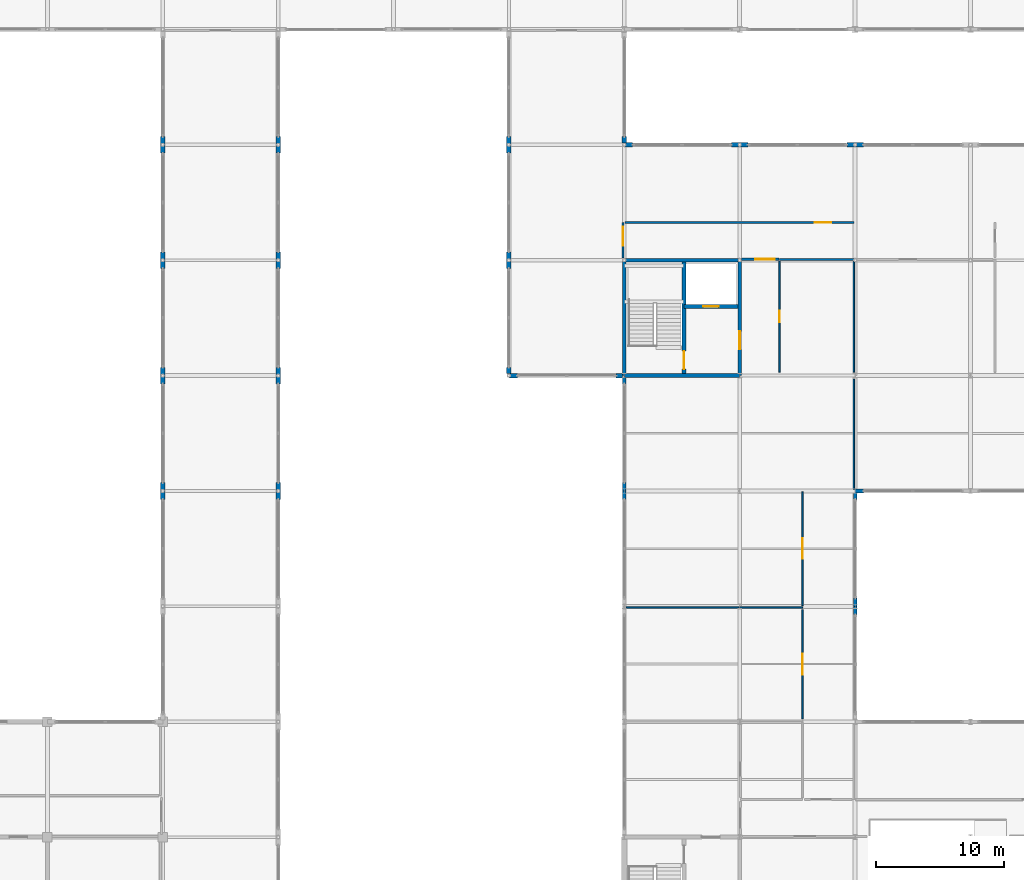
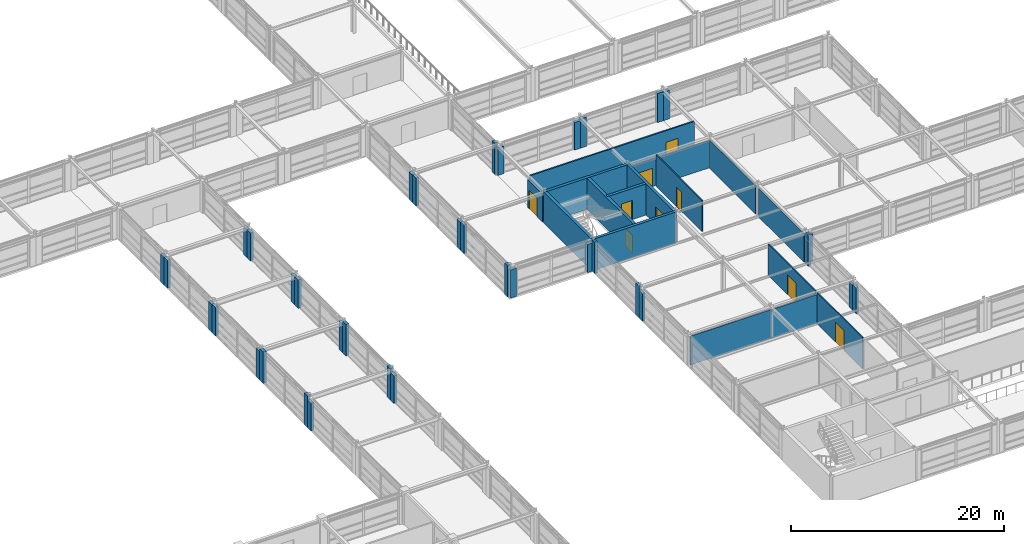
# One storey, part 66 of 79: 53 walls, 9 doors, 9 openings.
"""IFC4 building model written with IfcOpenShell, lengths in metres."""

from ifc_helpers import new_model, si_unit, direction, frame, frame_2d, origin, place, context, subcontext, project, spatial, rectangle, extrude, material, layer, layer_set, type_object, element, fill, save


model = new_model("IFC4")

# Units and contexts
model_context = context("Model", 3, precision=1e-05, world=origin(), true_north=direction((0.0, 1.0)))
body_context = subcontext(model_context, "Body", "Model", "MODEL_VIEW")
ifc_project = project(units=[si_unit("LENGTHUNIT", "METRE"), si_unit("AREAUNIT", "SQUARE_METRE"), si_unit("VOLUMEUNIT", "CUBIC_METRE"), si_unit("PLANEANGLEUNIT", "RADIAN"), si_unit("MASSUNIT", "GRAM", prefix="KILO")], contexts=[model_context])

# Site, building, storey
site_placement = place(None, origin())
site = spatial("IfcSite", under=ifc_project, at=site_placement, CompositionType="ELEMENT")
building_placement = place(site_placement, origin())
building = spatial("IfcBuilding", under=site, at=building_placement, Name="Palais des Congres Ocreval", CompositionType="ELEMENT")
storey_placement = place(building_placement, frame((0.0, 0.0, 4.320068359375)))
storey = spatial("IfcBuildingStorey", under=building, at=storey_placement, Name="L01", CompositionType="ELEMENT", Elevation=4.320068359375)

# Wall
ifc_material_1 = material(Name="Concrete C40/50", Category="concrete")
ifc_layer_1 = layer(ifc_material_1, 0.300048828125)
ifc_layer_set_1 = layer_set([ifc_layer_1], Name="Core Shear Wall 300 Concrete C40/50")
wall_type_1 = type_object("IfcWallType", Name="Core Shear Wall 300 Concrete C40/50", PredefinedType="SHEAR", material=ifc_layer_set_1)
wall_1_placement = place(storey_placement, frame((108.0, 45.0, 0.0), z_axis=(0.0, 0.0, 1.0), x_axis=(1.0, 0.0, 0.0)))
element("IfcWall", 1, at=wall_1_placement, inside=storey, type_object=wall_type_1, Name="Core Shear Wall SC10 L01 S", PredefinedType="SHEAR", context=body_context, shape_type="SweptSolid", body=[
    extrude(rectangle(XDim=9.0, YDim=0.300048828125, at=frame_2d((4.5, 0.0))), origin(), (0.0, 0.0, 1.0), 3.58984375),
])

# Wall, opening, door
wall_2_placement = place(storey_placement, frame((117.0, 45.0, 0.0), z_axis=(0.0, 0.0, 1.0), x_axis=(0.0, 1.0, 0.0)))
wall_2 = element("IfcWall", 2, at=wall_2_placement, inside=storey, type_object=wall_type_1, Name="Core Shear Wall SC10 L01 E", PredefinedType="SHEAR", context=body_context, shape_type="SweptSolid", body=[
    extrude(rectangle(XDim=9.0, YDim=0.300048828125, at=frame_2d((4.5, 0.0))), origin(), (0.0, 0.0, 1.0), 3.58984375),
])
opening_1_placement = place(wall_2_placement, frame((2.050048828125, 0.0, 0.0)))
opening_1 = element("IfcOpeningElement", 3, at=opening_1_placement, cuts=wall_2, Name="Opening D03", PredefinedType="OPENING", context=body_context, shape_type="SweptSolid", body=[
    extrude(rectangle(XDim=1.39990234375, YDim=2.02001953125, at=frame_2d((0.699951171875, 1.010009765625))), frame((0.0, 0.159912109375, 0.0), z_axis=(0.0, -1.0, 0.0), x_axis=(1.0, 0.0, 0.0)), (0.0, 0.0, 1.0), 0.320068359375),
])
ifc_material_2 = material(Name="Painted fire-rated steel", Category="steel")
door_type_1 = type_object("IfcDoorType", Name="Core Lobby Rated Door 1400x2020", OperationType="NOTDEFINED", PredefinedType="DOOR", material=ifc_material_2)
door_1_placement = place(opening_1_placement, origin())
door_1 = element("IfcDoor", 4, at=door_1_placement, inside=storey, type_object=door_type_1, Name="Lobby Entrance Door SC10 L01", OperationType="DOUBLE_DOOR_SINGLE_SWING", OverallHeight=2.02001953125, OverallWidth=1.39990234375, PredefinedType="DOOR", context=body_context, shape_type="SweptSolid", body=[
    extrude(rectangle(XDim=1.39990234375, YDim=2.02001953125, at=frame_2d((0.699951171875, 1.010009765625))), frame((0.0, 0.02490234375, 0.0), z_axis=(0.0, -1.0, 0.0), x_axis=(1.0, 0.0, 0.0)), (0.0, 0.0, 1.0), 0.050048828125),
])
fill(opening_1, door_1)

# Walls
for number, where, z_axis, x_axis, name in (
    (5, (108.0, 54.0, 0.0), (0.0, 0.0, 1.0), (1.0, 0.0, 0.0), "Core Shear Wall SC10 L01 N"),
    (6, (108.0, 45.0, 0.0), (0.0, 0.0, 1.0), (0.0, 1.0, 0.0), "Core Shear Wall SC10 L01 W"),
):
    element("IfcWall", number, at=place(storey_placement, frame(where, z_axis=z_axis, x_axis=x_axis)), inside=storey, type_object=wall_type_1, Name=name, PredefinedType="SHEAR", context=body_context, shape_type="SweptSolid", body=[
        extrude(rectangle(XDim=9.0, YDim=0.300048828125, at=frame_2d((4.5, 0.0))), origin(), (0.0, 0.0, 1.0), 3.58984375),
    ])

# Wall, opening, door
wall_3_placement = place(storey_placement, frame((112.64990234375, 45.14990234375, 0.0), z_axis=(0.0, 0.0, 1.0), x_axis=(0.0, 1.0, 0.0)))
wall_3 = element("IfcWall", 7, at=wall_3_placement, inside=storey, type_object=wall_type_1, Name="Core Spine Shear Wall SC10 L01", PredefinedType="SHEAR", context=body_context, shape_type="SweptSolid", body=[
    extrude(rectangle(XDim=8.7001953125, YDim=0.300048828125, at=frame_2d((4.35009765625, 0.0))), origin(), (0.0, 0.0, 1.0), 3.58984375),
])
opening_2_placement = place(wall_3_placement, frame((0.35009765625, 0.0, 0.0)))
opening_2 = element("IfcOpeningElement", 8, at=opening_2_placement, cuts=wall_3, Name="Opening D03", PredefinedType="OPENING", context=body_context, shape_type="SweptSolid", body=[
    extrude(rectangle(XDim=1.39990234375, YDim=2.02001953125, at=frame_2d((0.699951171875, 1.010009765625))), frame((0.0, 0.159912109375, 0.0), z_axis=(0.0, -1.0, 0.0), x_axis=(1.0, 0.0, 0.0)), (0.0, 0.0, 1.0), 0.320068359375),
])
door_2_placement = place(opening_2_placement, origin())
door_2 = element("IfcDoor", 9, at=door_2_placement, inside=storey, type_object=door_type_1, Name="Protected Exit Stair Door ST10 L01", OperationType="SINGLE_SWING_RIGHT", OverallHeight=2.02001953125, OverallWidth=1.39990234375, PredefinedType="DOOR", context=body_context, shape_type="SweptSolid", body=[
    extrude(rectangle(XDim=1.39990234375, YDim=2.02001953125, at=frame_2d((0.699951171875, 1.010009765625))), frame((0.0, 0.02490234375, 0.0), z_axis=(0.0, -1.0, 0.0), x_axis=(1.0, 0.0, 0.0)), (0.0, 0.0, 1.0), 0.050048828125),
])
fill(opening_2, door_2)

wall_4_placement = place(storey_placement, frame((112.64990234375, 50.39990234375, 0.0), z_axis=(0.0, 0.0, 1.0), x_axis=(1.0, 0.0, 0.0)))
wall_4 = element("IfcWall", 10, at=wall_4_placement, inside=storey, type_object=wall_type_1, Name="Lift Shaft Front Wall SC10 L01", PredefinedType="SHEAR", context=body_context, shape_type="SweptSolid", body=[
    extrude(rectangle(XDim=4.2001953125, YDim=0.300048828125, at=frame_2d((2.10009765625, 0.0))), origin(), (0.0, 0.0, 1.0), 3.58984375),
])
opening_3_placement = place(wall_4_placement, frame((1.5, 0.0, 0.0)))
opening_3 = element("IfcOpeningElement", 11, at=opening_3_placement, cuts=wall_4, Name="Opening LD02", PredefinedType="OPENING", context=body_context, shape_type="SweptSolid", body=[
    extrude(rectangle(XDim=1.199951171875, YDim=2.199951171875, at=frame_2d((0.60009765625, 1.10009765625))), frame((0.0, 0.159912109375, 0.0), z_axis=(0.0, -1.0, 0.0), x_axis=(1.0, 0.0, 0.0)), (0.0, 0.0, 1.0), 0.320068359375),
])
ifc_material_3 = material(Name="Anodized bronze steel", Category="steel")
door_type_2 = type_object("IfcDoorType", Name="Passenger and Service Lift Sliding Door 1200x2200", OperationType="NOTDEFINED", PredefinedType="DOOR", material=ifc_material_3)
door_3_placement = place(opening_3_placement, origin())
door_3 = element("IfcDoor", 12, at=door_3_placement, inside=storey, type_object=door_type_2, Name="Lift Landing Sliding Door SL1 L01", OperationType="DOUBLE_DOOR_SLIDING", OverallHeight=2.199951171875, OverallWidth=1.199951171875, PredefinedType="DOOR", context=body_context, shape_type="SweptSolid", body=[
    extrude(rectangle(XDim=1.199951171875, YDim=2.199951171875, at=frame_2d((0.60009765625, 1.10009765625))), frame((0.0, 0.02490234375, 0.0), z_axis=(0.0, -1.0, 0.0), x_axis=(1.0, 0.0, 0.0)), (0.0, 0.0, 1.0), 0.050048828125),
])
fill(opening_3, door_3)

# Wall
ifc_material_4 = material(Name="Gypsum acoustic partition")
ifc_layer_2 = layer(ifc_material_4, 0.159912109375)
ifc_layer_set_2 = layer_set([ifc_layer_2], Name="Corridor Fire Partition 160 Gypsum (Gypsum acoustic partition)")
wall_type_2 = type_object("IfcWallType", Name="Corridor Fire Partition 160 Gypsum", PredefinedType="PARTITIONING", material=ifc_layer_set_2)
wall_5_placement = place(storey_placement, frame((120.10009765625, 54.06494140625, 0.0), z_axis=(0.0, 0.0, 1.0), x_axis=(1.0, 0.0, 0.0)))
element("IfcWall", 13, at=wall_5_placement, inside=storey, type_object=wall_type_2, Name="Interior Partition IW03 L01", PredefinedType="PARTITIONING", context=body_context, shape_type="SweptSolid", body=[
    extrude(rectangle(XDim=5.7998046875, YDim=0.159912109375, at=frame_2d((2.89990234375, 0.0))), origin(), (0.0, 0.0, 1.0), 3.139892578125),
])

# Wall, opening, door
wall_6_placement = place(storey_placement, frame((107.909912109375, 54.155029296875, 0.0), z_axis=(0.0, 0.0, 1.0), x_axis=(0.0, 1.0, 0.0)))
wall_6 = element("IfcWall", 14, at=wall_6_placement, inside=storey, type_object=wall_type_2, Name="Interior Partition IW03 L01", PredefinedType="PARTITIONING", context=body_context, shape_type="SweptSolid", body=[
    extrude(rectangle(XDim=2.77490234375, YDim=0.159912109375, at=frame_2d((1.387451171875, 0.0))), origin(), (0.0, 0.0, 1.0), 3.219970703125),
])
opening_4_placement = place(wall_6_placement, frame((0.970458984375, 0.0, 0.0)))
opening_4 = element("IfcOpeningElement", 15, at=opening_4_placement, cuts=wall_6, Name="Opening D04", PredefinedType="OPENING", context=body_context, shape_type="SweptSolid", body=[
    extrude(rectangle(XDim=1.5, YDim=2.10009765625, at=frame_2d((0.75, 1.050048828125))), frame((0.0, 0.08984375, 0.0), z_axis=(0.0, -1.0, 0.0), x_axis=(1.0, 0.0, 0.0)), (0.0, 0.0, 1.0), 0.179931640625),
])
ifc_material_5 = material(Name="Solid French oak fire door", Category="wood")
door_type_3 = type_object("IfcDoorType", Name="Corridor Compartment Double Door 1500x2100", OperationType="NOTDEFINED", PredefinedType="DOOR", material=ifc_material_5)
door_4_placement = place(opening_4_placement, origin())
door_4 = element("IfcDoor", 16, at=door_4_placement, inside=storey, type_object=door_type_3, Name="Interior Door D04 L01", OperationType="DOUBLE_DOOR_SINGLE_SWING", OverallHeight=2.10009765625, OverallWidth=1.5, PredefinedType="DOOR", context=body_context, shape_type="SweptSolid", body=[
    extrude(rectangle(XDim=1.5, YDim=2.10009765625, at=frame_2d((0.75, 1.050048828125))), frame((0.0, 0.02490234375, 0.0), z_axis=(0.0, -1.0, 0.0), x_axis=(1.0, 0.0, 0.0)), (0.0, 0.0, 1.0), 0.050048828125),
])
fill(opening_4, door_4)

wall_7_placement = place(storey_placement, frame((117.155029296875, 54.074951171875, 0.0), z_axis=(0.0, 0.0, 1.0), x_axis=(1.0, 0.0, 0.0)))
wall_7 = element("IfcWall", 17, at=wall_7_placement, inside=storey, type_object=wall_type_2, Name="Interior Partition IW03 L01", PredefinedType="PARTITIONING", context=body_context, shape_type="SweptSolid", body=[
    extrude(rectangle(XDim=2.925048828125, YDim=0.159912109375, at=frame_2d((1.46240234375, 0.0))), origin(), (0.0, 0.0, 1.0), 3.139892578125),
])
opening_5_placement = place(wall_7_placement, frame((1.0634765625, 0.0, 0.0)))
opening_5 = element("IfcOpeningElement", 18, at=opening_5_placement, cuts=wall_7, Name="Opening D04", PredefinedType="OPENING", context=body_context, shape_type="SweptSolid", body=[
    extrude(rectangle(XDim=1.5, YDim=2.10009765625, at=frame_2d((0.75, 1.050048828125))), frame((0.0, 0.08984375, 0.0), z_axis=(0.0, -1.0, 0.0), x_axis=(1.0, 0.0, 0.0)), (0.0, 0.0, 1.0), 0.179931640625),
])
door_5_placement = place(opening_5_placement, origin())
door_5 = element("IfcDoor", 19, at=door_5_placement, inside=storey, type_object=door_type_3, Name="Interior Door D04 L01", OperationType="DOUBLE_DOOR_SINGLE_SWING", OverallHeight=2.10009765625, OverallWidth=1.5, PredefinedType="DOOR", context=body_context, shape_type="SweptSolid", body=[
    extrude(rectangle(XDim=1.5, YDim=2.10009765625, at=frame_2d((0.75, 1.050048828125))), frame((0.0, 0.02490234375, 0.0), z_axis=(0.0, -1.0, 0.0), x_axis=(1.0, 0.0, 0.0)), (0.0, 0.0, 1.0), 0.050048828125),
])
fill(opening_5, door_5)

wall_8_placement = place(storey_placement, frame((108.06494140625, 56.93505859375, 0.0), z_axis=(0.0, 0.0, 1.0), x_axis=(1.0, 0.0, 0.0)))
wall_8 = element("IfcWall", 20, at=wall_8_placement, inside=storey, type_object=wall_type_2, Name="Interior Partition IW03 L01", PredefinedType="PARTITIONING", context=body_context, shape_type="SweptSolid", body=[
    extrude(rectangle(XDim=17.8349609375, YDim=0.159912109375, at=frame_2d((8.91748046875, 0.0))), origin(), (0.0, 0.0, 1.0), 3.58984375),
])
opening_6_placement = place(wall_8_placement, frame((14.784912109375, 0.0, 0.0)))
opening_6 = element("IfcOpeningElement", 21, at=opening_6_placement, cuts=wall_8, Name="Opening D07", PredefinedType="OPENING", context=body_context, shape_type="SweptSolid", body=[
    extrude(rectangle(XDim=1.300048828125, YDim=2.25, at=frame_2d((0.64990234375, 1.125))), frame((0.0, 0.08984375, 0.0), z_axis=(0.0, -1.0, 0.0), x_axis=(1.0, 0.0, 0.0)), (0.0, 0.0, 1.0), 0.179931640625),
])
ifc_material_6 = material(Name="Solid French oak", Category="wood")
door_type_4 = type_object("IfcDoorType", Name="Luxury Suite Double Door 1300x2250", OperationType="NOTDEFINED", PredefinedType="DOOR", material=ifc_material_6)
door_6_placement = place(opening_6_placement, origin())
door_6 = element("IfcDoor", 22, at=door_6_placement, inside=storey, type_object=door_type_4, Name="Interior Door D07 L01", OperationType="DOUBLE_DOOR_SINGLE_SWING", OverallHeight=2.25, OverallWidth=1.300048828125, PredefinedType="DOOR", context=body_context, shape_type="SweptSolid", body=[
    extrude(rectangle(XDim=1.300048828125, YDim=2.25, at=frame_2d((0.64990234375, 1.125))), frame((0.0, 0.02490234375, 0.0), z_axis=(0.0, -1.0, 0.0), x_axis=(1.0, 0.0, 0.0)), (0.0, 0.0, 1.0), 0.050048828125),
])
fill(opening_6, door_6)

# Walls
ifc_layer_3 = layer(ifc_material_1, 0.340087890625)
ifc_layer_set_3 = layer_set([ifc_layer_3], Name="Ochre Mineral-Lime Courtyard Wall 340 Concrete C40/50")
wall_type_3 = type_object("IfcWallType", Name="Ochre Mineral-Lime Courtyard Wall 340 Concrete C40/50", PredefinedType="SOLIDWALL", material=ifc_layer_set_3)
wall_9_placement = place(storey_placement, frame((108.0, 63.64990234375, 0.0), z_axis=(0.0, 0.0, 1.0), x_axis=(0.0, -1.0, 0.0)))
element("IfcWall", 23, at=wall_9_placement, inside=storey, type_object=wall_type_3, Name="Facade Pier EW04 L01", PredefinedType="SOLIDWALL", context=body_context, shape_type="SweptSolid", body=[
    extrude(rectangle(XDim=0.494873046875, YDim=0.340087890625, at=frame_2d((0.24755859375, 0.0))), origin(), (0.0, 0.0, 1.0), 3.58984375),
])
for number, where, z_axis, x_axis, name in (
    (24, (108.0, 63.0, 0.0), (0.0, 0.0, 1.0), (1.0, 0.0, 0.0), "Facade Pier EW04 L01"),
    (25, (116.35009765625, 63.0, 0.0), (0.0, 0.0, 1.0), (1.0, 0.0, 0.0), "Facade Pier EW04 L01"),
):
    element("IfcWall", number, at=place(storey_placement, frame(where, z_axis=z_axis, x_axis=x_axis)), inside=storey, type_object=wall_type_3, Name=name, PredefinedType="SOLIDWALL", context=body_context, shape_type="SweptSolid", body=[
        extrude(rectangle(XDim=0.64990234375, YDim=0.340087890625, at=frame_2d((0.324951171875, 0.0))), origin(), (0.0, 0.0, 1.0), 3.179931640625),
    ])
for number, where, z_axis, x_axis, name in (
    (26, (117.0, 63.0, 0.0), (0.0, 0.0, 1.0), (1.0, 0.0, 0.0), "Facade Pier EW04 L01"),
    (27, (125.35009765625, 63.0, 0.0), (0.0, 0.0, 1.0), (1.0, 0.0, 0.0), "Facade Pier EW04 L01"),
):
    element("IfcWall", number, at=place(storey_placement, frame(where, z_axis=z_axis, x_axis=x_axis)), inside=storey, type_object=wall_type_3, Name=name, PredefinedType="SOLIDWALL", context=body_context, shape_type="SweptSolid", body=[
        extrude(rectangle(XDim=0.64990234375, YDim=0.340087890625, at=frame_2d((0.324951171875, 0.0))), origin(), (0.0, 0.0, 1.0), 3.349853515625),
    ])
wall_10_placement = place(storey_placement, frame((126.0, 63.0, 0.0), z_axis=(0.0, 0.0, 1.0), x_axis=(1.0, 0.0, 0.0)))
element("IfcWall", 28, at=wall_10_placement, inside=storey, type_object=wall_type_3, Name="Facade Pier EW04 L01", PredefinedType="SOLIDWALL", context=body_context, shape_type="SweptSolid", body=[
    extrude(rectangle(XDim=0.64990234375, YDim=0.340087890625, at=frame_2d((0.324951171875, 0.0))), origin(), (0.0, 0.0, 1.0), 3.280029296875),
])
wall_11_placement = place(storey_placement, frame((107.8701171875, 45.0, 0.0), z_axis=(0.0, 0.0, 1.0), x_axis=(-1.0, 0.0, 0.0)))
element("IfcWall", 29, at=wall_11_placement, inside=storey, type_object=wall_type_3, Name="Facade Pier EW04 L01", PredefinedType="SOLIDWALL", context=body_context, shape_type="SweptSolid", body=[
    extrude(rectangle(XDim=0.52001953125, YDim=0.340087890625, at=frame_2d((0.260009765625, 0.0))), origin(), (0.0, 0.0, 1.0), 3.219970703125),
])
wall_12_placement = place(storey_placement, frame((99.64990234375, 45.0, 0.0), z_axis=(0.0, 0.0, 1.0), x_axis=(-1.0, 0.0, 0.0)))
element("IfcWall", 30, at=wall_12_placement, inside=storey, type_object=wall_type_3, Name="Facade Pier EW04 L01", PredefinedType="SOLIDWALL", context=body_context, shape_type="SweptSolid", body=[
    extrude(rectangle(XDim=0.64990234375, YDim=0.340087890625, at=frame_2d((0.324951171875, 0.0))), origin(), (0.0, 0.0, 1.0), 3.219970703125),
])
wall_13_placement = place(storey_placement, frame((99.0, 45.155029296875, 0.0), z_axis=(0.0, 0.0, 1.0), x_axis=(0.0, 1.0, 0.0)))
element("IfcWall", 31, at=wall_13_placement, inside=storey, type_object=wall_type_3, Name="Facade Pier EW04 L01", PredefinedType="SOLIDWALL", context=body_context, shape_type="SweptSolid", body=[
    extrude(rectangle(XDim=0.494873046875, YDim=0.340087890625, at=frame_2d((0.24755859375, 0.0))), origin(), (0.0, 0.0, 1.0), 3.58984375),
])
wall_14_placement = place(storey_placement, frame((99.0, 53.35009765625, 0.0), z_axis=(0.0, 0.0, 1.0), x_axis=(0.0, 1.0, 0.0)))
element("IfcWall", 32, at=wall_14_placement, inside=storey, type_object=wall_type_3, Name="Facade Pier EW04 L01", PredefinedType="SOLIDWALL", context=body_context, shape_type="SweptSolid", body=[
    extrude(rectangle(XDim=0.64990234375, YDim=0.340087890625, at=frame_2d((0.324951171875, 0.0))), origin(), (0.0, 0.0, 1.0), 3.280029296875),
])
for number, where, z_axis, x_axis, name in (
    (33, (99.0, 54.0, 0.0), (0.0, 0.0, 1.0), (0.0, 1.0, 0.0), "Facade Pier EW04 L01"),
    (34, (99.0, 62.35009765625, 0.0), (0.0, 0.0, 1.0), (0.0, 1.0, 0.0), "Facade Pier EW04 L01"),
):
    element("IfcWall", number, at=place(storey_placement, frame(where, z_axis=z_axis, x_axis=x_axis)), inside=storey, type_object=wall_type_3, Name=name, PredefinedType="SOLIDWALL", context=body_context, shape_type="SweptSolid", body=[
        extrude(rectangle(XDim=0.64990234375, YDim=0.340087890625, at=frame_2d((0.324951171875, 0.0))), origin(), (0.0, 0.0, 1.0), 3.219970703125),
    ])
for number, where, z_axis, x_axis, name in (
    (35, (99.0, 63.0, 0.0), (0.0, 0.0, 1.0), (0.0, 1.0, 0.0), "Facade Pier EW04 L01"),
    (36, (81.0, 63.64990234375, 0.0), (0.0, 0.0, 1.0), (0.0, -1.0, 0.0), "Facade Pier EW04 L01"),
):
    element("IfcWall", number, at=place(storey_placement, frame(where, z_axis=z_axis, x_axis=x_axis)), inside=storey, type_object=wall_type_3, Name=name, PredefinedType="SOLIDWALL", context=body_context, shape_type="SweptSolid", body=[
        extrude(rectangle(XDim=0.64990234375, YDim=0.340087890625, at=frame_2d((0.324951171875, 0.0))), origin(), (0.0, 0.0, 1.0), 3.179931640625),
    ])
for number, where, z_axis, x_axis, name in (
    (37, (81.0, 63.0, 0.0), (0.0, 0.0, 1.0), (0.0, -1.0, 0.0), "Facade Pier EW04 L01"),
    (38, (81.0, 54.64990234375, 0.0), (0.0, 0.0, 1.0), (0.0, -1.0, 0.0), "Facade Pier EW04 L01"),
):
    element("IfcWall", number, at=place(storey_placement, frame(where, z_axis=z_axis, x_axis=x_axis)), inside=storey, type_object=wall_type_3, Name=name, PredefinedType="SOLIDWALL", context=body_context, shape_type="SweptSolid", body=[
        extrude(rectangle(XDim=0.64990234375, YDim=0.340087890625, at=frame_2d((0.324951171875, 0.0))), origin(), (0.0, 0.0, 1.0), 3.219970703125),
    ])
for number, where, z_axis, x_axis, name in (
    (39, (81.0, 54.0, 0.0), (0.0, 0.0, 1.0), (0.0, -1.0, 0.0), "Facade Pier EW04 L01"),
    (40, (81.0, 45.64990234375, 0.0), (0.0, 0.0, 1.0), (0.0, -1.0, 0.0), "Facade Pier EW04 L01"),
):
    element("IfcWall", number, at=place(storey_placement, frame(where, z_axis=z_axis, x_axis=x_axis)), inside=storey, type_object=wall_type_3, Name=name, PredefinedType="SOLIDWALL", context=body_context, shape_type="SweptSolid", body=[
        extrude(rectangle(XDim=0.64990234375, YDim=0.340087890625, at=frame_2d((0.324951171875, 0.0))), origin(), (0.0, 0.0, 1.0), 3.280029296875),
    ])
for number, where, z_axis, x_axis, name in (
    (41, (81.0, 45.0, 0.0), (0.0, 0.0, 1.0), (0.0, -1.0, 0.0), "Facade Pier EW04 L01"),
    (42, (81.0, 36.64990234375, 0.0), (0.0, 0.0, 1.0), (0.0, -1.0, 0.0), "Facade Pier EW04 L01"),
):
    element("IfcWall", number, at=place(storey_placement, frame(where, z_axis=z_axis, x_axis=x_axis)), inside=storey, type_object=wall_type_3, Name=name, PredefinedType="SOLIDWALL", context=body_context, shape_type="SweptSolid", body=[
        extrude(rectangle(XDim=0.64990234375, YDim=0.340087890625, at=frame_2d((0.324951171875, 0.0))), origin(), (0.0, 0.0, 1.0), 3.58984375),
    ])
for number, where, z_axis, x_axis, name in (
    (43, (81.0, 36.0, 0.0), (0.0, 0.0, 1.0), (0.0, -1.0, 0.0), "Facade Pier EW04 L01"),
    (44, (72.0, 35.35009765625, 0.0), (0.0, 0.0, 1.0), (0.0, 1.0, 0.0), "Facade Pier EW04 L01"),
):
    element("IfcWall", number, at=place(storey_placement, frame(where, z_axis=z_axis, x_axis=x_axis)), inside=storey, type_object=wall_type_3, Name=name, PredefinedType="SOLIDWALL", context=body_context, shape_type="SweptSolid", body=[
        extrude(rectangle(XDim=0.64990234375, YDim=0.340087890625, at=frame_2d((0.324951171875, 0.0))), origin(), (0.0, 0.0, 1.0), 3.179931640625),
    ])
for number, where, z_axis, x_axis, name in (
    (45, (72.0, 36.0, 0.0), (0.0, 0.0, 1.0), (0.0, 1.0, 0.0), "Facade Pier EW04 L01"),
    (46, (72.0, 44.35009765625, 0.0), (0.0, 0.0, 1.0), (0.0, 1.0, 0.0), "Facade Pier EW04 L01"),
):
    element("IfcWall", number, at=place(storey_placement, frame(where, z_axis=z_axis, x_axis=x_axis)), inside=storey, type_object=wall_type_3, Name=name, PredefinedType="SOLIDWALL", context=body_context, shape_type="SweptSolid", body=[
        extrude(rectangle(XDim=0.64990234375, YDim=0.340087890625, at=frame_2d((0.324951171875, 0.0))), origin(), (0.0, 0.0, 1.0), 3.58984375),
    ])
for number, where, z_axis, x_axis, name in (
    (47, (72.0, 45.0, 0.0), (0.0, 0.0, 1.0), (0.0, 1.0, 0.0), "Facade Pier EW04 L01"),
    (48, (72.0, 53.35009765625, 0.0), (0.0, 0.0, 1.0), (0.0, 1.0, 0.0), "Facade Pier EW04 L01"),
):
    element("IfcWall", number, at=place(storey_placement, frame(where, z_axis=z_axis, x_axis=x_axis)), inside=storey, type_object=wall_type_3, Name=name, PredefinedType="SOLIDWALL", context=body_context, shape_type="SweptSolid", body=[
        extrude(rectangle(XDim=0.64990234375, YDim=0.340087890625, at=frame_2d((0.324951171875, 0.0))), origin(), (0.0, 0.0, 1.0), 3.280029296875),
    ])
for number, where, z_axis, x_axis, name in (
    (49, (72.0, 54.0, 0.0), (0.0, 0.0, 1.0), (0.0, 1.0, 0.0), "Facade Pier EW04 L01"),
    (50, (72.0, 62.35009765625, 0.0), (0.0, 0.0, 1.0), (0.0, 1.0, 0.0), "Facade Pier EW04 L01"),
):
    element("IfcWall", number, at=place(storey_placement, frame(where, z_axis=z_axis, x_axis=x_axis)), inside=storey, type_object=wall_type_3, Name=name, PredefinedType="SOLIDWALL", context=body_context, shape_type="SweptSolid", body=[
        extrude(rectangle(XDim=0.64990234375, YDim=0.340087890625, at=frame_2d((0.324951171875, 0.0))), origin(), (0.0, 0.0, 1.0), 3.219970703125),
    ])
wall_15_placement = place(storey_placement, frame((72.0, 63.0, 0.0), z_axis=(0.0, 0.0, 1.0), x_axis=(0.0, 1.0, 0.0)))
element("IfcWall", 51, at=wall_15_placement, inside=storey, type_object=wall_type_3, Name="Facade Pier EW04 L01", PredefinedType="SOLIDWALL", context=body_context, shape_type="SweptSolid", body=[
    extrude(rectangle(XDim=0.64990234375, YDim=0.340087890625, at=frame_2d((0.324951171875, 0.0))), origin(), (0.0, 0.0, 1.0), 3.179931640625),
])
ifc_material_7 = material(Name="Gypsum board partition")
ifc_layer_4 = layer(ifc_material_7, 0.1201171875)
ifc_layer_set_4 = layer_set([ifc_layer_4], Name="Suite Subdivision Partition 120 Gypsum (Gypsum board partition)")
wall_type_4 = type_object("IfcWallType", Name="Suite Subdivision Partition 120 Gypsum", PredefinedType="PARTITIONING", material=ifc_layer_set_4)
wall_16_placement = place(storey_placement, frame((125.909912109375, 45.27001953125, 0.0), z_axis=(0.0, 0.0, 1.0), x_axis=(0.0, 1.0, 0.0)))
element("IfcWall", 52, at=wall_16_placement, inside=storey, type_object=wall_type_4, Name="Interior Partition IW04 L01", PredefinedType="PARTITIONING", context=body_context, shape_type="SweptSolid", body=[
    extrude(rectangle(XDim=8.639892578125, YDim=0.1201171875, at=frame_2d((4.31982421875, 0.0))), origin(), (0.0, 0.0, 1.0), 3.25),
])
wall_17_placement = place(storey_placement, frame((108.14501953125, 26.909912109375, 0.0), z_axis=(0.0, 0.0, 1.0), x_axis=(1.0, 0.0, 0.0)))
element("IfcWall", 53, at=wall_17_placement, inside=storey, type_object=wall_type_4, Name="Interior Partition IW04 L01", PredefinedType="PARTITIONING", context=body_context, shape_type="SweptSolid", body=[
    extrude(rectangle(XDim=8.8349609375, YDim=0.1201171875, at=frame_2d((4.41748046875, 0.0))), origin(), (0.0, 0.0, 1.0), 3.309814453125),
])
wall_18_placement = place(storey_placement, frame((125.909912109375, 36.14501953125, 0.0), z_axis=(0.0, 0.0, 1.0), x_axis=(0.0, 1.0, 0.0)))
element("IfcWall", 54, at=wall_18_placement, inside=storey, type_object=wall_type_4, Name="Interior Partition IW04 L01", PredefinedType="PARTITIONING", context=body_context, shape_type="SweptSolid", body=[
    extrude(rectangle(XDim=8.5849609375, YDim=0.1201171875, at=frame_2d((4.29248046875, 0.0))), origin(), (0.0, 0.0, 1.0), 3.2900390625),
])

# Wall, opening, door
wall_19_placement = place(storey_placement, frame((120.090087890625, 45.27001953125, 0.0), z_axis=(0.0, 0.0, 1.0), x_axis=(0.0, 1.0, 0.0)))
wall_19 = element("IfcWall", 55, at=wall_19_placement, inside=storey, type_object=wall_type_4, Name="Interior Partition IW04 L01", PredefinedType="PARTITIONING", context=body_context, shape_type="SweptSolid", body=[
    extrude(rectangle(XDim=8.64990234375, YDim=0.1201171875, at=frame_2d((4.324951171875, 0.0))), origin(), (0.0, 0.0, 1.0), 3.58984375),
])
opening_7_placement = place(wall_19_placement, frame((3.875, 0.0, 0.0)))
opening_7 = element("IfcOpeningElement", 56, at=opening_7_placement, cuts=wall_19, Name="Opening D11", PredefinedType="OPENING", context=body_context, shape_type="SweptSolid", body=[
    extrude(rectangle(XDim=0.89990234375, YDim=2.199951171875, at=frame_2d((0.449951171875, 1.10009765625))), frame((0.0, 0.070068359375, 0.0), z_axis=(0.0, -1.0, 0.0), x_axis=(1.0, 0.0, 0.0)), (0.0, 0.0, 1.0), 0.14013671875),
])
door_type_5 = type_object("IfcDoorType", Name="Spa Treatment Cabin Door 900x2200", OperationType="NOTDEFINED", PredefinedType="DOOR", material=ifc_material_6)
door_7_placement = place(opening_7_placement, origin())
door_7 = element("IfcDoor", 57, at=door_7_placement, inside=storey, type_object=door_type_5, Name="Interior Door D11 L01", OperationType="SINGLE_SWING_RIGHT", OverallHeight=2.199951171875, OverallWidth=0.89990234375, PredefinedType="DOOR", context=body_context, shape_type="SweptSolid", body=[
    extrude(rectangle(XDim=0.89990234375, YDim=2.199951171875, at=frame_2d((0.449951171875, 1.10009765625))), frame((0.0, 0.02490234375, 0.0), z_axis=(0.0, -1.0, 0.0), x_axis=(1.0, 0.0, 0.0)), (0.0, 0.0, 1.0), 0.050048828125),
])
fill(opening_7, door_7)

wall_20_placement = place(storey_placement, frame((121.909912109375, 18.219970703125, 0.0), z_axis=(0.0, 0.0, 1.0), x_axis=(0.0, 1.0, 0.0)))
wall_20 = element("IfcWall", 58, at=wall_20_placement, inside=storey, type_object=wall_type_4, Name="Interior Partition IW04 L01", PredefinedType="PARTITIONING", context=body_context, shape_type="SweptSolid", body=[
    extrude(rectangle(XDim=8.534912109375, YDim=0.1201171875, at=frame_2d((4.267578125, 0.0))), origin(), (0.0, 0.0, 1.0), 3.599853515625),
])
opening_8_placement = place(wall_20_placement, frame((3.467529296875, 0.0, 0.0)))
opening_8 = element("IfcOpeningElement", 59, at=opening_8_placement, cuts=wall_20, Name="Opening D12", PredefinedType="OPENING", context=body_context, shape_type="SweptSolid", body=[
    extrude(rectangle(XDim=1.60009765625, YDim=2.300048828125, at=frame_2d((0.800048828125, 1.14990234375))), frame((0.0, 0.070068359375, 0.0), z_axis=(0.0, -1.0, 0.0), x_axis=(1.0, 0.0, 0.0)), (0.0, 0.0, 1.0), 0.14013671875),
])
door_type_6 = type_object("IfcDoorType", Name="Meeting Room Acoustic Double Door 1600x2300", OperationType="NOTDEFINED", PredefinedType="DOOR", material=ifc_material_6)
door_8_placement = place(opening_8_placement, origin())
door_8 = element("IfcDoor", 60, at=door_8_placement, inside=storey, type_object=door_type_6, Name="Interior Door D12 L01", OperationType="DOUBLE_DOOR_SINGLE_SWING", OverallHeight=2.300048828125, OverallWidth=1.60009765625, PredefinedType="DOOR", context=body_context, shape_type="SweptSolid", body=[
    extrude(rectangle(XDim=1.60009765625, YDim=2.300048828125, at=frame_2d((0.800048828125, 1.14990234375))), frame((0.0, 0.02490234375, 0.0), z_axis=(0.0, -1.0, 0.0), x_axis=(1.0, 0.0, 0.0)), (0.0, 0.0, 1.0), 0.050048828125),
])
fill(opening_8, door_8)

wall_21_placement = place(storey_placement, frame((121.909912109375, 27.06494140625, 0.0), z_axis=(0.0, 0.0, 1.0), x_axis=(0.0, 1.0, 0.0)))
wall_21 = element("IfcWall", 61, at=wall_21_placement, inside=storey, type_object=wall_type_4, Name="Interior Partition IW04 L01", PredefinedType="PARTITIONING", context=body_context, shape_type="SweptSolid", body=[
    extrude(rectangle(XDim=8.864990234375, YDim=0.1201171875, at=frame_2d((4.4326171875, 0.0))), origin(), (0.0, 0.0, 1.0), 3.599853515625),
])
opening_9_placement = place(wall_21_placement, frame((3.632568359375, 0.0, 0.0)))
opening_9 = element("IfcOpeningElement", 62, at=opening_9_placement, cuts=wall_21, Name="Opening D12", PredefinedType="OPENING", context=body_context, shape_type="SweptSolid", body=[
    extrude(rectangle(XDim=1.60009765625, YDim=2.300048828125, at=frame_2d((0.800048828125, 1.14990234375))), frame((0.0, 0.070068359375, 0.0), z_axis=(0.0, -1.0, 0.0), x_axis=(1.0, 0.0, 0.0)), (0.0, 0.0, 1.0), 0.14013671875),
])
door_9_placement = place(opening_9_placement, origin())
door_9 = element("IfcDoor", 63, at=door_9_placement, inside=storey, type_object=door_type_6, Name="Interior Door D12 L01", OperationType="DOUBLE_DOOR_SINGLE_SWING", OverallHeight=2.300048828125, OverallWidth=1.60009765625, PredefinedType="DOOR", context=body_context, shape_type="SweptSolid", body=[
    extrude(rectangle(XDim=1.60009765625, YDim=2.300048828125, at=frame_2d((0.800048828125, 1.14990234375))), frame((0.0, 0.02490234375, 0.0), z_axis=(0.0, -1.0, 0.0), x_axis=(1.0, 0.0, 0.0)), (0.0, 0.0, 1.0), 0.050048828125),
])
fill(opening_9, door_9)

# Walls
wall_22_placement = place(storey_placement, frame((116.97998046875, 26.909912109375, 0.0), z_axis=(0.0, 0.0, 1.0), x_axis=(1.0, 0.0, 0.0)))
element("IfcWall", 64, at=wall_22_placement, inside=storey, type_object=wall_type_4, Name="Interior Partition IW04 L01", PredefinedType="PARTITIONING", context=body_context, shape_type="SweptSolid", body=[
    extrude(rectangle(XDim=4.919921875, YDim=0.1201171875, at=frame_2d((2.4599609375, 0.0))), origin(), (0.0, 0.0, 1.0), 3.2900390625),
])
ifc_layer_5 = layer(ifc_material_1, 0.280029296875)
ifc_layer_set_5 = layer_set([ifc_layer_5], Name="Terracotta Mineral-Lime Facade Wall 280 Concrete C40/50")
wall_type_5 = type_object("IfcWallType", Name="Terracotta Mineral-Lime Facade Wall 280 Concrete C40/50", PredefinedType="SOLIDWALL", material=ifc_layer_set_5)
wall_23_placement = place(storey_placement, frame((108.0, 35.35009765625, 0.0), z_axis=(0.0, 0.0, 1.0), x_axis=(0.0, 1.0, 0.0)))
element("IfcWall", 65, at=wall_23_placement, inside=storey, type_object=wall_type_5, Name="Facade Pier EW05 L01", PredefinedType="SOLIDWALL", context=body_context, shape_type="SweptSolid", body=[
    extrude(rectangle(XDim=0.64990234375, YDim=0.280029296875, at=frame_2d((0.324951171875, 0.0))), origin(), (0.0, 0.0, 1.0), 3.179931640625),
])
wall_24_placement = place(storey_placement, frame((108.0, 36.0, 0.0), z_axis=(0.0, 0.0, 1.0), x_axis=(0.0, 1.0, 0.0)))
element("IfcWall", 66, at=wall_24_placement, inside=storey, type_object=wall_type_5, Name="Facade Pier EW05 L01", PredefinedType="SOLIDWALL", context=body_context, shape_type="SweptSolid", body=[
    extrude(rectangle(XDim=0.64990234375, YDim=0.280029296875, at=frame_2d((0.324951171875, 0.0))), origin(), (0.0, 0.0, 1.0), 3.599853515625),
])
wall_25_placement = place(storey_placement, frame((108.0, 44.35009765625, 0.0), z_axis=(0.0, 0.0, 1.0), x_axis=(0.0, 1.0, 0.0)))
element("IfcWall", 67, at=wall_25_placement, inside=storey, type_object=wall_type_5, Name="Facade Pier EW05 L01", PredefinedType="SOLIDWALL", context=body_context, shape_type="SweptSolid", body=[
    extrude(rectangle(XDim=0.52001953125, YDim=0.280029296875, at=frame_2d((0.260009765625, 0.0))), origin(), (0.0, 0.0, 1.0), 3.599853515625),
])
wall_26_placement = place(storey_placement, frame((126.64990234375, 36.0, 0.0), z_axis=(0.0, 0.0, 1.0), x_axis=(-1.0, 0.0, 0.0)))
element("IfcWall", 68, at=wall_26_placement, inside=storey, type_object=wall_type_5, Name="Facade Pier EW05 L01", PredefinedType="SOLIDWALL", context=body_context, shape_type="SweptSolid", body=[
    extrude(rectangle(XDim=0.64990234375, YDim=0.280029296875, at=frame_2d((0.324951171875, 0.0))), origin(), (0.0, 0.0, 1.0), 3.18994140625),
])
wall_27_placement = place(storey_placement, frame((126.0, 35.844970703125, 0.0), z_axis=(0.0, 0.0, 1.0), x_axis=(0.0, -1.0, 0.0)))
element("IfcWall", 69, at=wall_27_placement, inside=storey, type_object=wall_type_5, Name="Facade Pier EW05 L01", PredefinedType="SOLIDWALL", context=body_context, shape_type="SweptSolid", body=[
    extrude(rectangle(XDim=0.494873046875, YDim=0.280029296875, at=frame_2d((0.24755859375, 0.0))), origin(), (0.0, 0.0, 1.0), 3.599853515625),
])
wall_28_placement = place(storey_placement, frame((126.0, 27.64990234375, 0.0), z_axis=(0.0, 0.0, 1.0), x_axis=(0.0, -1.0, 0.0)))
element("IfcWall", 70, at=wall_28_placement, inside=storey, type_object=wall_type_5, Name="Facade Pier EW05 L01", PredefinedType="SOLIDWALL", context=body_context, shape_type="SweptSolid", body=[
    extrude(rectangle(XDim=0.64990234375, YDim=0.280029296875, at=frame_2d((0.324951171875, 0.0))), origin(), (0.0, 0.0, 1.0), 2.889892578125),
])
wall_29_placement = place(storey_placement, frame((126.0, 27.0, 0.0), z_axis=(0.0, 0.0, 1.0), x_axis=(0.0, -1.0, 0.0)))
element("IfcWall", 71, at=wall_29_placement, inside=storey, type_object=wall_type_5, Name="Facade Pier EW05 L01", PredefinedType="SOLIDWALL", context=body_context, shape_type="SweptSolid", body=[
    extrude(rectangle(XDim=0.64990234375, YDim=0.280029296875, at=frame_2d((0.324951171875, 0.0))), origin(), (0.0, 0.0, 1.0), 2.989990234375),
])

save(model, "model.ifc")
